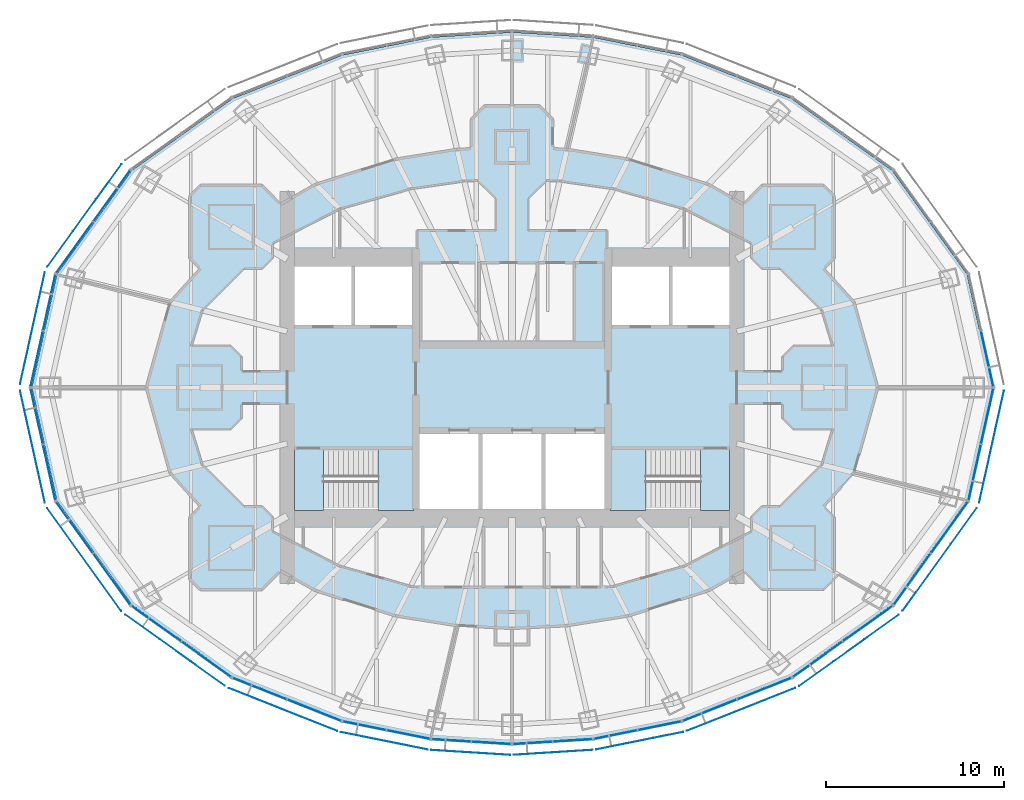
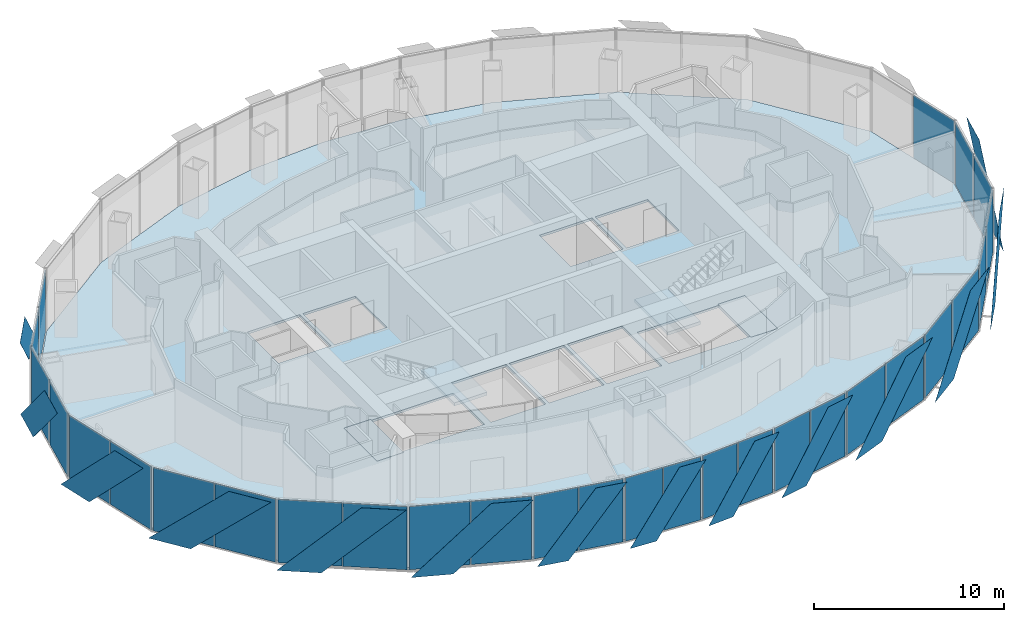
# One storey, part 10 of 18: 43 plates, 5 slabs, 17 elements without a shape of their own.
"""IFC4 building model written with IfcOpenShell, lengths in metres."""

from ifc_helpers import new_model, si_unit, direction, frame, origin, origin_2d, place, context, subcontext, project, spatial, polyline, rectangle, outline, extrude, material, layer, layer_set, type_object, element, aggregate, save


model = new_model("IFC4")

# Units and contexts
model_context = context("Model", 3, precision=1e-05, world=origin(), true_north=direction((0.0, 1.0)))
body_context = subcontext(model_context, "Body", "Model", "MODEL_VIEW")
ifc_project = project(units=[si_unit("LENGTHUNIT", "METRE"), si_unit("AREAUNIT", "SQUARE_METRE"), si_unit("VOLUMEUNIT", "CUBIC_METRE"), si_unit("PLANEANGLEUNIT", "RADIAN"), si_unit("MASSUNIT", "GRAM", prefix="KILO")], contexts=[model_context])

# Site, building, storey
site_placement = place(None, origin())
site = spatial("IfcSite", under=ifc_project, at=site_placement, CompositionType="ELEMENT")
building_placement = place(site_placement, origin())
building = spatial("IfcBuilding", under=site, at=building_placement, Name="Lantaw Convention Tower", CompositionType="ELEMENT")
storey_placement = place(building_placement, frame((0.0, 0.0, 262.0)))
storey = spatial("IfcBuildingStorey", under=building, at=storey_placement, Name="L61", CompositionType="ELEMENT", Elevation=262.0)

# Curtain wall, plate
ifc_material_1 = material(Name="Aluminium framed curtain wall", Category="aluminium")
curtain_wall_type = type_object("IfcCurtainWallType", Name="Office curtain wall high rise, pale aluminium", PredefinedType="USERDEFINED", material=ifc_material_1)
curtain_wall_1_placement = place(storey_placement, origin())
curtain_wall_1 = element("IfcCurtainWall", 1, at=curtain_wall_1_placement, inside=storey, type_object=curtain_wall_type, Name="Office curtain wall high rise, pale aluminium L61", ObjectType="UNITISED CURTAIN WALL", PredefinedType="USERDEFINED")
ifc_material_2 = material(Name="Clear insulating glass", Category="glass")
ifc_layer_1 = layer(ifc_material_2, 0.028076171875)
ifc_layer_set_1 = layer_set([ifc_layer_1], Name="CW-O2 panel 28")
plate_type_1 = type_object("IfcPlateType", Name="CW-O2 panel 28", PredefinedType="CURTAIN_PANEL", material=ifc_layer_set_1)
plate_1_placement = place(storey_placement, frame((26.643798828125, 1.61083984375, -0.0849609375), z_axis=(0.0, 0.0, 1.0), x_axis=(-0.215891333626, 0.976417396437, 0.0)))
plate_1 = element("IfcPlate", 2, at=plate_1_placement, type_object=plate_type_1, Name="CW-O2 panel 1.1", PredefinedType="CURTAIN_PANEL", context=body_context, shape_type="SweptSolid", body=[
    extrude(rectangle(XDim=3.169677734375, YDim=0.028076171875, at=origin_2d()), origin(), (0.0, 0.0, 1.0), 4.070068359375),
])
aggregate(curtain_wall_1, [plate_1])

# Curtain wall, plates
curtain_wall_2_placement = place(storey_placement, origin())
curtain_wall_2 = element("IfcCurtainWall", 3, at=curtain_wall_2_placement, inside=storey, type_object=curtain_wall_type, Name="Office curtain wall high rise, pale aluminium L61", ObjectType="UNITISED CURTAIN WALL", PredefinedType="USERDEFINED")
plate_2_placement = place(storey_placement, frame((-22.4404296875, 10.743896484375, -0.0849609375), z_axis=(0.0, 0.0, 1.0), x_axis=(-0.585157643865, -0.810919559405, 0.0)))
plate_2 = element("IfcPlate", 4, at=plate_2_placement, type_object=plate_type_1, Name="CW-O2 panel 1.1", PredefinedType="CURTAIN_PANEL", context=body_context, shape_type="SweptSolid", body=[
    extrude(rectangle(XDim=3.500732421875, YDim=0.028076171875, at=origin_2d()), origin(), (0.0, 0.0, 1.0), 4.070068359375),
])
plate_3_placement = place(storey_placement, frame((-24.527099609375, 7.852294921875, -0.0849609375), z_axis=(0.0, 0.0, 1.0), x_axis=(-0.585157643865, -0.810919559405, 0.0)))
plate_3 = element("IfcPlate", 5, at=plate_3_placement, type_object=plate_type_1, Name="CW-O2 panel 2.1", PredefinedType="CURTAIN_PANEL", context=body_context, shape_type="SweptSolid", body=[
    extrude(rectangle(XDim=3.500732421875, YDim=0.028076171875, at=origin_2d()), origin(), (0.0, 0.0, 1.0), 4.070068359375),
])
aggregate(curtain_wall_2, [plate_2, plate_3])

curtain_wall_3_placement = place(storey_placement, origin())
curtain_wall_3 = element("IfcCurtainWall", 6, at=curtain_wall_3_placement, inside=storey, type_object=curtain_wall_type, Name="Office curtain wall high rise, pale aluminium L61", ObjectType="UNITISED CURTAIN WALL", PredefinedType="USERDEFINED")
plate_4_placement = place(storey_placement, frame((-25.945556640625, 4.769287109375, -0.0849609375), z_axis=(0.0, 0.0, 1.0), x_axis=(-0.215891333626, -0.976417396437, 0.0)))
plate_4 = element("IfcPlate", 7, at=plate_4_placement, type_object=plate_type_1, Name="CW-O2 panel 1.1", PredefinedType="CURTAIN_PANEL", context=body_context, shape_type="SweptSolid", body=[
    extrude(rectangle(XDim=3.169677734375, YDim=0.028076171875, at=origin_2d()), origin(), (0.0, 0.0, 1.0), 4.070068359375),
])
plate_5_placement = place(storey_placement, frame((-26.643798828125, 1.61083984375, -0.0849609375), z_axis=(0.0, 0.0, 1.0), x_axis=(-0.215891333626, -0.976417396437, 0.0)))
plate_5 = element("IfcPlate", 8, at=plate_5_placement, type_object=plate_type_1, Name="CW-O2 panel 2.1", PredefinedType="CURTAIN_PANEL", context=body_context, shape_type="SweptSolid", body=[
    extrude(rectangle(XDim=3.169677734375, YDim=0.028076171875, at=origin_2d()), origin(), (0.0, 0.0, 1.0), 4.070068359375),
])
aggregate(curtain_wall_3, [plate_4, plate_5])

curtain_wall_4_placement = place(storey_placement, origin())
curtain_wall_4 = element("IfcCurtainWall", 9, at=curtain_wall_4_placement, inside=storey, type_object=curtain_wall_type, Name="Office curtain wall high rise, pale aluminium L61", ObjectType="UNITISED CURTAIN WALL", PredefinedType="USERDEFINED")
plate_6_placement = place(storey_placement, frame((-26.643798828125, -1.61083984375, -0.0849609375), z_axis=(0.0, 0.0, 1.0), x_axis=(0.215891333626, -0.976417396437, 0.0)))
plate_6 = element("IfcPlate", 10, at=plate_6_placement, type_object=plate_type_1, Name="CW-O2 panel 1.1", PredefinedType="CURTAIN_PANEL", context=body_context, shape_type="SweptSolid", body=[
    extrude(rectangle(XDim=3.169677734375, YDim=0.028076171875, at=origin_2d()), origin(), (0.0, 0.0, 1.0), 4.070068359375),
])
plate_7_placement = place(storey_placement, frame((-25.945556640625, -4.769287109375, -0.0849609375), z_axis=(0.0, 0.0, 1.0), x_axis=(0.215891333626, -0.976417396437, 0.0)))
plate_7 = element("IfcPlate", 11, at=plate_7_placement, type_object=plate_type_1, Name="CW-O2 panel 2.1", PredefinedType="CURTAIN_PANEL", context=body_context, shape_type="SweptSolid", body=[
    extrude(rectangle(XDim=3.169677734375, YDim=0.028076171875, at=origin_2d()), origin(), (0.0, 0.0, 1.0), 4.070068359375),
])
aggregate(curtain_wall_4, [plate_6, plate_7])

curtain_wall_5_placement = place(storey_placement, origin())
curtain_wall_5 = element("IfcCurtainWall", 12, at=curtain_wall_5_placement, inside=storey, type_object=curtain_wall_type, Name="Office curtain wall high rise, pale aluminium L61", ObjectType="UNITISED CURTAIN WALL", PredefinedType="USERDEFINED")
plate_8_placement = place(storey_placement, frame((-24.527099609375, -7.852294921875, -0.0849609375), z_axis=(0.0, 0.0, 1.0), x_axis=(0.585157643865, -0.810919559405, 0.0)))
plate_8 = element("IfcPlate", 13, at=plate_8_placement, type_object=plate_type_1, Name="CW-O2 panel 1.1", PredefinedType="CURTAIN_PANEL", context=body_context, shape_type="SweptSolid", body=[
    extrude(rectangle(XDim=3.500732421875, YDim=0.028076171875, at=origin_2d()), origin(), (0.0, 0.0, 1.0), 4.070068359375),
])
plate_9_placement = place(storey_placement, frame((-22.4404296875, -10.743896484375, -0.0849609375), z_axis=(0.0, 0.0, 1.0), x_axis=(0.585157643865, -0.810919559405, 0.0)))
plate_9 = element("IfcPlate", 14, at=plate_9_placement, type_object=plate_type_1, Name="CW-O2 panel 2.1", PredefinedType="CURTAIN_PANEL", context=body_context, shape_type="SweptSolid", body=[
    extrude(rectangle(XDim=3.500732421875, YDim=0.028076171875, at=origin_2d()), origin(), (0.0, 0.0, 1.0), 4.070068359375),
])
aggregate(curtain_wall_5, [plate_8, plate_9])

curtain_wall_6_placement = place(storey_placement, origin())
curtain_wall_6 = element("IfcCurtainWall", 15, at=curtain_wall_6_placement, inside=storey, type_object=curtain_wall_type, Name="Office curtain wall high rise, pale aluminium L61", ObjectType="UNITISED CURTAIN WALL", PredefinedType="USERDEFINED")
plate_10_placement = place(storey_placement, frame((-19.947509765625, -13.23828125, -0.0849609375), z_axis=(0.0, 0.0, 1.0), x_axis=(0.813672540482, -0.581323487281, 0.0)))
plate_10 = element("IfcPlate", 16, at=plate_10_placement, type_object=plate_type_1, Name="CW-O2 panel 1.1", PredefinedType="CURTAIN_PANEL", context=body_context, shape_type="SweptSolid", body=[
    extrude(rectangle(XDim=3.386474609375, YDim=0.028076171875, at=origin_2d()), origin(), (0.0, 0.0, 1.0), 4.070068359375),
])
plate_11_placement = place(storey_placement, frame((-17.13916015625, -15.24462890625, -0.0849609375), z_axis=(0.0, 0.0, 1.0), x_axis=(0.813672540482, -0.581323487281, 0.0)))
plate_11 = element("IfcPlate", 17, at=plate_11_placement, type_object=plate_type_1, Name="CW-O2 panel 2.1", PredefinedType="CURTAIN_PANEL", context=body_context, shape_type="SweptSolid", body=[
    extrude(rectangle(XDim=3.386474609375, YDim=0.028076171875, at=origin_2d()), origin(), (0.0, 0.0, 1.0), 4.070068359375),
])
aggregate(curtain_wall_6, [plate_10, plate_11])

curtain_wall_7_placement = place(storey_placement, origin())
curtain_wall_7 = element("IfcCurtainWall", 18, at=curtain_wall_7_placement, inside=storey, type_object=curtain_wall_type, Name="Office curtain wall high rise, pale aluminium L61", ObjectType="UNITISED CURTAIN WALL", PredefinedType="USERDEFINED")
plate_12_placement = place(storey_placement, frame((-14.14990234375, -16.8837890625, -0.0849609375), z_axis=(0.0, 0.0, 1.0), x_axis=(0.929761533743, -0.368162315252, 0.0)))
plate_12 = element("IfcPlate", 19, at=plate_12_placement, type_object=plate_type_1, Name="CW-O2 panel 1.1", PredefinedType="CURTAIN_PANEL", context=body_context, shape_type="SweptSolid", body=[
    extrude(rectangle(XDim=3.222900390625, YDim=0.028076171875, at=origin_2d()), origin(), (0.0, 0.0, 1.0), 4.070068359375),
])
plate_13_placement = place(storey_placement, frame((-11.0927734375, -18.094482421875, -0.0849609375), z_axis=(0.0, 0.0, 1.0), x_axis=(0.929761533743, -0.368162315252, 0.0)))
plate_13 = element("IfcPlate", 20, at=plate_13_placement, type_object=plate_type_1, Name="CW-O2 panel 2.1", PredefinedType="CURTAIN_PANEL", context=body_context, shape_type="SweptSolid", body=[
    extrude(rectangle(XDim=3.222900390625, YDim=0.028076171875, at=origin_2d()), origin(), (0.0, 0.0, 1.0), 4.070068359375),
])
aggregate(curtain_wall_7, [plate_12, plate_13])

curtain_wall_8_placement = place(storey_placement, origin())
curtain_wall_8 = element("IfcCurtainWall", 21, at=curtain_wall_8_placement, inside=storey, type_object=curtain_wall_type, Name="Office curtain wall high rise, pale aluminium L61", ObjectType="UNITISED CURTAIN WALL", PredefinedType="USERDEFINED")
plate_14_placement = place(storey_placement, frame((-8.2724609375, -18.96533203125, -0.0849609375), z_axis=(0.0, 0.0, 1.0), x_axis=(0.980366679695, -0.197183095987, 0.0)))
plate_14 = element("IfcPlate", 22, at=plate_14_placement, type_object=plate_type_1, Name="CW-O2 panel 1.1", PredefinedType="CURTAIN_PANEL", context=body_context, shape_type="SweptSolid", body=[
    extrude(rectangle(XDim=2.44384765625, YDim=0.028076171875, at=origin_2d()), origin(), (0.0, 0.0, 1.0), 4.070068359375),
])
plate_15_placement = place(storey_placement, frame((-5.81298828125, -19.4599609375, -0.0849609375), z_axis=(0.0, 0.0, 1.0), x_axis=(0.980366679695, -0.197183095987, 0.0)))
plate_15 = element("IfcPlate", 23, at=plate_15_placement, type_object=plate_type_1, Name="CW-O2 panel 2.1", PredefinedType="CURTAIN_PANEL", context=body_context, shape_type="SweptSolid", body=[
    extrude(rectangle(XDim=2.44384765625, YDim=0.028076171875, at=origin_2d()), origin(), (0.0, 0.0, 1.0), 4.070068359375),
])
aggregate(curtain_wall_8, [plate_14, plate_15])

curtain_wall_9_placement = place(storey_placement, origin())
curtain_wall_9 = element("IfcCurtainWall", 24, at=curtain_wall_9_placement, inside=storey, type_object=curtain_wall_type, Name="Office curtain wall high rise, pale aluminium L61", ObjectType="UNITISED CURTAIN WALL", PredefinedType="USERDEFINED")
plate_16_placement = place(storey_placement, frame((-3.397216796875, -19.786376953125, -0.0849609375), z_axis=(0.0, 0.0, 1.0), x_axis=(0.998028774865, -0.062757983884, 0.0)))
plate_16 = element("IfcPlate", 25, at=plate_16_placement, type_object=plate_type_1, Name="CW-O2 panel 1.1", PredefinedType="CURTAIN_PANEL", context=body_context, shape_type="SweptSolid", body=[
    extrude(rectangle(XDim=2.1826171875, YDim=0.028076171875, at=origin_2d()), origin(), (0.0, 0.0, 1.0), 4.070068359375),
])
plate_17_placement = place(storey_placement, frame((-1.154052734375, -19.927490234375, -0.0849609375), z_axis=(0.0, 0.0, 1.0), x_axis=(0.998028774865, -0.062757983884, 0.0)))
plate_17 = element("IfcPlate", 26, at=plate_17_placement, type_object=plate_type_1, Name="CW-O2 panel 2.1", PredefinedType="CURTAIN_PANEL", context=body_context, shape_type="SweptSolid", body=[
    extrude(rectangle(XDim=2.1826171875, YDim=0.028076171875, at=origin_2d()), origin(), (0.0, 0.0, 1.0), 4.070068359375),
])
aggregate(curtain_wall_9, [plate_16, plate_17])

curtain_wall_10_placement = place(storey_placement, origin())
curtain_wall_10 = element("IfcCurtainWall", 27, at=curtain_wall_10_placement, inside=storey, type_object=curtain_wall_type, Name="Office curtain wall high rise, pale aluminium L61", ObjectType="UNITISED CURTAIN WALL", PredefinedType="USERDEFINED")
plate_18_placement = place(storey_placement, frame((1.154052734375, -19.927490234375, -0.0849609375), z_axis=(0.0, 0.0, 1.0), x_axis=(0.998028774865, 0.062757983884, 0.0)))
plate_18 = element("IfcPlate", 28, at=plate_18_placement, type_object=plate_type_1, Name="CW-O2 panel 1.1", PredefinedType="CURTAIN_PANEL", context=body_context, shape_type="SweptSolid", body=[
    extrude(rectangle(XDim=2.1826171875, YDim=0.028076171875, at=origin_2d()), origin(), (0.0, 0.0, 1.0), 4.070068359375),
])
plate_19_placement = place(storey_placement, frame((3.397216796875, -19.786376953125, -0.0849609375), z_axis=(0.0, 0.0, 1.0), x_axis=(0.998028774865, 0.062757983884, 0.0)))
plate_19 = element("IfcPlate", 29, at=plate_19_placement, type_object=plate_type_1, Name="CW-O2 panel 2.1", PredefinedType="CURTAIN_PANEL", context=body_context, shape_type="SweptSolid", body=[
    extrude(rectangle(XDim=2.1826171875, YDim=0.028076171875, at=origin_2d()), origin(), (0.0, 0.0, 1.0), 4.070068359375),
])
aggregate(curtain_wall_10, [plate_18, plate_19])

curtain_wall_11_placement = place(storey_placement, origin())
curtain_wall_11 = element("IfcCurtainWall", 30, at=curtain_wall_11_placement, inside=storey, type_object=curtain_wall_type, Name="Office curtain wall high rise, pale aluminium L61", ObjectType="UNITISED CURTAIN WALL", PredefinedType="USERDEFINED")
plate_20_placement = place(storey_placement, frame((5.81298828125, -19.4599609375, -0.0849609375), z_axis=(0.0, 0.0, 1.0), x_axis=(0.980366679695, 0.197183095987, 0.0)))
plate_20 = element("IfcPlate", 31, at=plate_20_placement, type_object=plate_type_1, Name="CW-O2 panel 1.1", PredefinedType="CURTAIN_PANEL", context=body_context, shape_type="SweptSolid", body=[
    extrude(rectangle(XDim=2.44384765625, YDim=0.028076171875, at=origin_2d()), origin(), (0.0, 0.0, 1.0), 4.070068359375),
])
plate_21_placement = place(storey_placement, frame((8.2724609375, -18.96533203125, -0.0849609375), z_axis=(0.0, 0.0, 1.0), x_axis=(0.980366679695, 0.197183095987, 0.0)))
plate_21 = element("IfcPlate", 32, at=plate_21_placement, type_object=plate_type_1, Name="CW-O2 panel 2.1", PredefinedType="CURTAIN_PANEL", context=body_context, shape_type="SweptSolid", body=[
    extrude(rectangle(XDim=2.44384765625, YDim=0.028076171875, at=origin_2d()), origin(), (0.0, 0.0, 1.0), 4.070068359375),
])
aggregate(curtain_wall_11, [plate_20, plate_21])

curtain_wall_12_placement = place(storey_placement, origin())
curtain_wall_12 = element("IfcCurtainWall", 33, at=curtain_wall_12_placement, inside=storey, type_object=curtain_wall_type, Name="Office curtain wall high rise, pale aluminium L61", ObjectType="UNITISED CURTAIN WALL", PredefinedType="USERDEFINED")
plate_22_placement = place(storey_placement, frame((11.0927734375, -18.094482421875, -0.0849609375), z_axis=(0.0, 0.0, 1.0), x_axis=(0.929761533743, 0.368162315252, 0.0)))
plate_22 = element("IfcPlate", 34, at=plate_22_placement, type_object=plate_type_1, Name="CW-O2 panel 1.1", PredefinedType="CURTAIN_PANEL", context=body_context, shape_type="SweptSolid", body=[
    extrude(rectangle(XDim=3.222900390625, YDim=0.028076171875, at=origin_2d()), origin(), (0.0, 0.0, 1.0), 4.070068359375),
])
plate_23_placement = place(storey_placement, frame((14.14990234375, -16.8837890625, -0.0849609375), z_axis=(0.0, 0.0, 1.0), x_axis=(0.929761533743, 0.368162315252, 0.0)))
plate_23 = element("IfcPlate", 35, at=plate_23_placement, type_object=plate_type_1, Name="CW-O2 panel 2.1", PredefinedType="CURTAIN_PANEL", context=body_context, shape_type="SweptSolid", body=[
    extrude(rectangle(XDim=3.222900390625, YDim=0.028076171875, at=origin_2d()), origin(), (0.0, 0.0, 1.0), 4.070068359375),
])
aggregate(curtain_wall_12, [plate_22, plate_23])

curtain_wall_13_placement = place(storey_placement, origin())
curtain_wall_13 = element("IfcCurtainWall", 36, at=curtain_wall_13_placement, inside=storey, type_object=curtain_wall_type, Name="Office curtain wall high rise, pale aluminium L61", ObjectType="UNITISED CURTAIN WALL", PredefinedType="USERDEFINED")
plate_24_placement = place(storey_placement, frame((17.13916015625, -15.24462890625, -0.0849609375), z_axis=(0.0, 0.0, 1.0), x_axis=(0.813672540482, 0.581323487281, 0.0)))
plate_24 = element("IfcPlate", 37, at=plate_24_placement, type_object=plate_type_1, Name="CW-O2 panel 1.1", PredefinedType="CURTAIN_PANEL", context=body_context, shape_type="SweptSolid", body=[
    extrude(rectangle(XDim=3.386474609375, YDim=0.028076171875, at=origin_2d()), origin(), (0.0, 0.0, 1.0), 4.070068359375),
])
plate_25_placement = place(storey_placement, frame((19.947509765625, -13.23828125, -0.0849609375), z_axis=(0.0, 0.0, 1.0), x_axis=(0.813672540482, 0.581323487281, 0.0)))
plate_25 = element("IfcPlate", 38, at=plate_25_placement, type_object=plate_type_1, Name="CW-O2 panel 2.1", PredefinedType="CURTAIN_PANEL", context=body_context, shape_type="SweptSolid", body=[
    extrude(rectangle(XDim=3.386474609375, YDim=0.028076171875, at=origin_2d()), origin(), (0.0, 0.0, 1.0), 4.070068359375),
])
aggregate(curtain_wall_13, [plate_24, plate_25])

curtain_wall_14_placement = place(storey_placement, origin())
curtain_wall_14 = element("IfcCurtainWall", 39, at=curtain_wall_14_placement, inside=storey, type_object=curtain_wall_type, Name="Office curtain wall high rise, pale aluminium L61", ObjectType="UNITISED CURTAIN WALL", PredefinedType="USERDEFINED")
plate_26_placement = place(storey_placement, frame((22.4404296875, -10.743896484375, -0.0849609375), z_axis=(0.0, 0.0, 1.0), x_axis=(0.585157643865, 0.810919559405, 0.0)))
plate_26 = element("IfcPlate", 40, at=plate_26_placement, type_object=plate_type_1, Name="CW-O2 panel 1.1", PredefinedType="CURTAIN_PANEL", context=body_context, shape_type="SweptSolid", body=[
    extrude(rectangle(XDim=3.500732421875, YDim=0.028076171875, at=origin_2d()), origin(), (0.0, 0.0, 1.0), 4.070068359375),
])
plate_27_placement = place(storey_placement, frame((24.527099609375, -7.852294921875, -0.0849609375), z_axis=(0.0, 0.0, 1.0), x_axis=(0.585157643865, 0.810919559405, 0.0)))
plate_27 = element("IfcPlate", 41, at=plate_27_placement, type_object=plate_type_1, Name="CW-O2 panel 2.1", PredefinedType="CURTAIN_PANEL", context=body_context, shape_type="SweptSolid", body=[
    extrude(rectangle(XDim=3.500732421875, YDim=0.028076171875, at=origin_2d()), origin(), (0.0, 0.0, 1.0), 4.070068359375),
])
aggregate(curtain_wall_14, [plate_26, plate_27])

curtain_wall_15_placement = place(storey_placement, origin())
curtain_wall_15 = element("IfcCurtainWall", 42, at=curtain_wall_15_placement, inside=storey, type_object=curtain_wall_type, Name="Office curtain wall high rise, pale aluminium L61", ObjectType="UNITISED CURTAIN WALL", PredefinedType="USERDEFINED")
plate_28_placement = place(storey_placement, frame((25.945556640625, -4.769287109375, -0.0849609375), z_axis=(0.0, 0.0, 1.0), x_axis=(0.215891333626, 0.976417396437, 0.0)))
plate_28 = element("IfcPlate", 43, at=plate_28_placement, type_object=plate_type_1, Name="CW-O2 panel 1.1", PredefinedType="CURTAIN_PANEL", context=body_context, shape_type="SweptSolid", body=[
    extrude(rectangle(XDim=3.169677734375, YDim=0.028076171875, at=origin_2d()), origin(), (0.0, 0.0, 1.0), 4.070068359375),
])
plate_29_placement = place(storey_placement, frame((26.643798828125, -1.61083984375, -0.0849609375), z_axis=(0.0, 0.0, 1.0), x_axis=(0.215891333626, 0.976417396437, 0.0)))
plate_29 = element("IfcPlate", 44, at=plate_29_placement, type_object=plate_type_1, Name="CW-O2 panel 2.1", PredefinedType="CURTAIN_PANEL", context=body_context, shape_type="SweptSolid", body=[
    extrude(rectangle(XDim=3.169677734375, YDim=0.028076171875, at=origin_2d()), origin(), (0.0, 0.0, 1.0), 4.070068359375),
])
aggregate(curtain_wall_15, [plate_28, plate_29])

# Slab
ifc_material_3 = material(Name="Concrete C35/45", Category="concrete")
ifc_layer_2 = layer(ifc_material_3, 0.14990234375)
ifc_layer_set_2 = layer_set([ifc_layer_2], Name="Floor slab 150")
slab_type_1 = type_object("IfcSlabType", Name="Floor slab 150", PredefinedType="FLOOR", material=ifc_layer_set_2)
slab_1_placement = place(storey_placement, frame((0.0, 0.0, -0.14990234375)))
element("IfcSlab", 45, at=slab_1_placement, inside=storey, type_object=slab_type_1, Name="L61 floor slab", PredefinedType="FLOOR", context=body_context, shape_type="SweptSolid", body=[
    extrude(outline(polyline([(25.51953125, -6.348876953125), (26.923095703125, 0.0), (25.51953125, 6.348876953125), (21.324462890625, 12.162109375), (15.67236328125, 16.2001953125), (9.5126953125, 18.639404296875), (4.54150390625, 19.63916015625), (0.0, 19.9248046875), (-4.54150390625, 19.63916015625), (-9.5126953125, 18.639404296875), (-15.67236328125, 16.2001953125), (-21.324462890625, 12.162109375), (-25.51953125, 6.348876953125), (-26.923095703125, 0.0), (-25.51953125, -6.348876953125), (-21.324462890625, -12.162109375), (-15.67236328125, -16.2001953125), (-9.5126953125, -18.639404296875), (-4.54150390625, -19.63916015625), (0.0, -19.9248046875), (4.54150390625, -19.63916015625), (9.5126953125, -18.639404296875), (15.67236328125, -16.2001953125), (21.324462890625, -12.162109375), (25.51953125, -6.348876953125)]), holes=[polyline([(-5.60009765625, -3.5), (-12.199951171875, -3.5), (-12.199951171875, -6.800048828125), (-5.60009765625, -6.800048828125), (-5.60009765625, -3.5)]), polyline([(12.199951171875, -3.5), (5.60009765625, -3.5), (5.60009765625, -6.800048828125), (12.199951171875, -6.800048828125), (12.199951171875, -3.5)]), polyline([(-1.86669921875, -2.60009765625), (-5.199951171875, -2.60009765625), (-5.199951171875, -6.800048828125), (-1.86669921875, -6.800048828125), (-1.86669921875, -2.60009765625)]), polyline([(1.666748046875, -2.60009765625), (-1.666748046875, -2.60009765625), (-1.666748046875, -6.800048828125), (1.666748046875, -6.800048828125), (1.666748046875, -2.60009765625)]), polyline([(5.199951171875, -2.60009765625), (1.86669921875, -2.60009765625), (1.86669921875, -6.800048828125), (5.199951171875, -6.800048828125), (5.199951171875, -2.60009765625)]), polyline([(-9.0, 6.800048828125), (-12.199951171875, 6.800048828125), (-12.199951171875, 3.5), (-9.0, 3.5), (-9.0, 6.800048828125)]), polyline([(-5.60009765625, 6.800048828125), (-8.800048828125, 6.800048828125), (-8.800048828125, 3.5), (-5.60009765625, 3.5), (-5.60009765625, 6.800048828125)]), polyline([(8.800048828125, 3.5), (8.800048828125, 6.800048828125), (5.60009765625, 6.800048828125), (5.60009765625, 3.5), (8.800048828125, 3.5)]), polyline([(12.199951171875, 3.5), (12.199951171875, 6.800048828125), (9.0, 6.800048828125), (9.0, 3.5), (12.199951171875, 3.5)])]), origin(), (0.0, 0.0, 1.0), 0.14990234375),
])

# Plates
ifc_material_4 = material(Name="Perforated aluminium sheet, pale silver finish", Category="aluminium")
ifc_layer_3 = layer(ifc_material_4, 0.006103515625)
ifc_layer_set_3 = layer_set([ifc_layer_3], Name="Perforated aluminium solar SCREEN panel")
plate_type_2 = type_object("IfcPlateType", Name="Perforated aluminium solar SCREEN panel", PredefinedType="SHEET", material=ifc_layer_set_3)
plate_30_placement = place(storey_placement, frame((-21.898681640625, 12.530029296875, -0.175048828125), z_axis=(-0.810892289695, 0.585195432394, 2.0458414e-05), x_axis=(-0.585195432516, -0.810892289865, 0.0)))
element("IfcPlate", 46, at=plate_30_placement, inside=storey, type_object=plate_type_2, Name="Solar SCREEN panel", PredefinedType="SHEET", context=body_context, shape_type="SweptSolid", body=[
    extrude(outline(polyline([(0.0, 0.0), (2.446848840683286, -6.776263578034403e-21), (7.09661046667572, 4.340087891533265), (4.649761625992435, 4.340087891533265), (0.0, 0.0)])), origin(), (0.0, 0.0, -1.0), 0.006103515625),
])
plate_31_placement = place(storey_placement, frame((-26.19189453125, 6.462158203125, -0.175048828125), z_axis=(0.976429511424, -0.215836529031, 4.4219438e-05), x_axis=(-0.215836529242, -0.976429512379, 0.0)))
element("IfcPlate", 47, at=plate_31_placement, inside=storey, type_object=plate_type_2, Name="Solar SCREEN panel", PredefinedType="SHEET", context=body_context, shape_type="SweptSolid", body=[
    extrude(outline(polyline([(0.0, 0.0), (2.2215525295212517, 3.3881317890172014e-21), (6.4341686174090675, -4.340087894868215), (4.212616087887817, -4.340087894868215), (0.0, 0.0)])), origin(), (0.0, 0.0, -1.0), 0.006103515625),
])
plate_32_placement = place(storey_placement, frame((-27.580810546875, -0.1796875, -0.175048828125), z_axis=(-0.976429511424, -0.215836529031, 4.4219438e-05), x_axis=(0.215836529242, -0.976429512379, 0.0)))
element("IfcPlate", 48, at=plate_32_placement, inside=storey, type_object=plate_type_2, Name="Solar SCREEN panel", PredefinedType="SHEET", context=body_context, shape_type="SweptSolid", body=[
    extrude(outline(polyline([(0.0, 0.0), (2.2215525295212517, -3.3881317890172014e-21), (6.4341686174090675, 4.340087894868215), (4.212616087887817, 4.340087894868215), (0.0, 0.0)])), origin(), (0.0, 0.0, -1.0), 0.006103515625),
])
plate_33_placement = place(storey_placement, frame((-26.051513671875, -6.775390625, -0.175048828125), z_axis=(0.810892289695, 0.585195432394, 2.0458414e-05), x_axis=(0.585195432516, -0.810892289865, 0.0)))
element("IfcPlate", 49, at=plate_33_placement, inside=storey, type_object=plate_type_2, Name="Solar SCREEN panel", PredefinedType="SHEET", context=body_context, shape_type="SweptSolid", body=[
    extrude(outline(polyline([(0.0, 0.0), (2.446848840683286, 6.776263578034403e-21), (7.09661046667572, -4.340087891533265), (4.649761625992435, -4.340087891533265), (0.0, 0.0)])), origin(), (0.0, 0.0, -1.0), 0.006103515625),
])
plate_34_placement = place(storey_placement, frame((-21.689697265625, -12.73828125, -0.175048828125), z_axis=(-0.581330799771, -0.813667316006, 1.0072414e-05), x_axis=(0.813667316047, -0.5813307998, 3.02e-10)))
element("IfcPlate", 50, at=plate_34_placement, inside=storey, type_object=plate_type_2, Name="Solar SCREEN panel", PredefinedType="SHEET", context=body_context, shape_type="SweptSolid", body=[
    extrude(outline(polyline([(0.0, 0.0), (2.3691416428668504, 0.0), (6.867806096558412, 4.34008788877314), (4.498863102938644, 4.340087890202622), (0.0, 0.0)])), origin(), (0.0, 0.0, -1.0), 0.006103515625),
])
plate_35_placement = place(storey_placement, frame((-15.88525390625, -16.8486328125, -0.175048828125), z_axis=(0.368116612072, 0.929779629081, 3.5533269e-05), x_axis=(0.929779629668, -0.368116612304, -1.786e-09)))
element("IfcPlate", 51, at=plate_35_placement, inside=storey, type_object=plate_type_2, Name="Solar SCREEN panel", PredefinedType="SHEET", context=body_context, shape_type="SweptSolid", body=[
    extrude(outline(polyline([(0.0, 0.0), (2.2578720663572183, -3.3881317890172014e-21), (6.540904465438181, -4.340087905048178), (4.282942526861161, -4.340087896982072), (0.0, 0.0)])), origin(), (0.0, 0.0, -1.0), 0.006103515625),
])
plate_36_placement = place(storey_placement, frame((-9.6044921875, -19.315673828125, -0.175048828125), z_axis=(0.197162069853, 0.980370908428, 1.0904083e-05), x_axis=(0.980370908486, -0.197162069865, -7.55e-10)))
element("IfcPlate", 52, at=plate_36_placement, inside=storey, type_object=plate_type_2, Name="Solar SCREEN panel", PredefinedType="SHEET", context=body_context, shape_type="SweptSolid", body=[
    extrude(outline(polyline([(0.0, 0.0), (1.7279870169553606, 8.470329472543003e-22), (4.982578440602753, -4.340087894645749), (3.2545432883764285, -4.340087892035838), (0.0, 0.0)])), origin(), (0.0, 0.0, -1.0), 0.006103515625),
])
plate_37_placement = place(storey_placement, frame((-4.539306640625, -20.32177734375, -0.175048828125), z_axis=(0.062672387577, 0.998034151922, 5.858668e-05), x_axis=(0.998034153635, -0.062672387685, 0.0)))
element("IfcPlate", 53, at=plate_37_placement, inside=storey, type_object=plate_type_2, Name="Solar SCREEN panel", PredefinedType="SHEET", context=body_context, shape_type="SweptSolid", body=[
    extrude(outline(polyline([(0.0, 0.0), (1.5504111513762302, 8.470329472543003e-22), (4.460200019412434, -4.340087898073457), (2.9097888680362036, -4.340087898073457), (0.0, 0.0)])), origin(), (0.0, 0.0, -1.0), 0.006103515625),
])
plate_38_placement = place(storey_placement, frame((0.087890625, -20.6015625, -0.175048828125), z_axis=(0.062672387577, -0.998034151922, 5.858668e-05), x_axis=(0.998034153635, 0.062672387685, 0.0)))
element("IfcPlate", 54, at=plate_38_placement, inside=storey, type_object=plate_type_2, Name="Solar SCREEN panel", PredefinedType="SHEET", context=body_context, shape_type="SweptSolid", body=[
    extrude(outline(polyline([(0.0, 0.0), (1.5504111513762302, -8.470329472543003e-22), (4.460200019412434, 4.340087898073457), (2.9097888680362036, 4.340087898073457), (0.0, 0.0)])), origin(), (0.0, 0.0, -1.0), 0.006103515625),
])
plate_39_placement = place(storey_placement, frame((4.7197265625, -20.298095703125, -0.175048828125), z_axis=(0.197162069853, -0.980370908428, 1.0904083e-05), x_axis=(0.980370908486, 0.197162069865, 7.55e-10)))
element("IfcPlate", 55, at=plate_39_placement, inside=storey, type_object=plate_type_2, Name="Solar SCREEN panel", PredefinedType="SHEET", context=body_context, shape_type="SweptSolid", body=[
    extrude(outline(polyline([(0.0, 0.0), (1.7280351522263238, 4.235164736271502e-22), (4.982578447157737, 4.34008788712039), (3.2545914302023755, 4.340087889730228), (0.0, 0.0)])), origin(), (0.0, 0.0, -1.0), 0.006103515625),
])
plate_40_placement = place(storey_placement, frame((9.8037109375, -19.256591796875, -0.175048828125), z_axis=(0.368116612072, -0.929779629081, 3.5533269e-05), x_axis=(0.929779629668, 0.368116612304, 1.786e-09)))
element("IfcPlate", 56, at=plate_40_placement, inside=storey, type_object=plate_type_2, Name="Solar SCREEN panel", PredefinedType="SHEET", context=body_context, shape_type="SweptSolid", body=[
    extrude(outline(polyline([(0.0, 0.0), (2.257961938577019, 0.0), (6.540904480942253, 4.34008788168214), (4.283032414585035, 4.340087889747925), (0.0, 0.0)])), origin(), (0.0, 0.0, -1.0), 0.006103515625),
])
plate_41_placement = place(storey_placement, frame((16.1015625, -16.730712890625, -0.175048828125), z_axis=(-0.581330799771, 0.813667316006, 1.0072414e-05), x_axis=(0.813667316047, 0.5813307998, -3.02e-10)))
element("IfcPlate", 57, at=plate_41_placement, inside=storey, type_object=plate_type_2, Name="Solar SCREEN panel", PredefinedType="SHEET", context=body_context, shape_type="SweptSolid", body=[
    extrude(outline(polyline([(0.0, 0.0), (2.3689429936197683, -1.6940658945086007e-21), (6.867806093939489, -4.340087892917353), (4.498664451072639, -4.340087891487751), (0.0, 0.0)])), origin(), (0.0, 0.0, -1.0), 0.006103515625),
])
plate_42_placement = place(storey_placement, frame((21.898681640625, -12.530029296875, -0.175048828125), z_axis=(0.810892289695, -0.585195432394, 2.0458414e-05), x_axis=(0.585195432516, 0.810892289865, 0.0)))
element("IfcPlate", 58, at=plate_42_placement, inside=storey, type_object=plate_type_2, Name="Solar SCREEN panel", PredefinedType="SHEET", context=body_context, shape_type="SweptSolid", body=[
    extrude(outline(polyline([(0.0, 0.0), (2.446848840683286, -6.776263578034403e-21), (7.09661046667572, 4.340087891533265), (4.649761625992435, 4.340087891533265), (0.0, 0.0)])), origin(), (0.0, 0.0, -1.0), 0.006103515625),
])
plate_43_placement = place(storey_placement, frame((26.19189453125, -6.462158203125, -0.175048828125), z_axis=(-0.976429511424, 0.215836529031, 4.4219438e-05), x_axis=(0.215836529242, 0.976429512379, 0.0)))
element("IfcPlate", 59, at=plate_43_placement, inside=storey, type_object=plate_type_2, Name="Solar SCREEN panel", PredefinedType="SHEET", context=body_context, shape_type="SweptSolid", body=[
    extrude(outline(polyline([(0.0, 0.0), (2.2215525295212517, 3.3881317890172014e-21), (6.4341686174090675, -4.340087894868215), (4.212616087887817, -4.340087894868215), (0.0, 0.0)])), origin(), (0.0, 0.0, -1.0), 0.006103515625),
])

# Stair, slabs
stair_type = type_object("IfcStairType", Name="Exit stair 1500 riser 175 in 2 flights", PredefinedType="HALF_TURN_STAIR", material=ifc_material_3)
stair_1_placement = place(storey_placement, origin())
stair_1 = element("IfcStair", 60, at=stair_1_placement, inside=storey, type_object=stair_type, Name="Exit stair S1 L61", PredefinedType="HALF_TURN_STAIR")
ifc_layer_4 = layer(ifc_material_3, 0.199951171875)
ifc_layer_set_4 = layer_set([ifc_layer_4], Name="Stair landing 200")
slab_type_2 = type_object("IfcSlabType", Name="Stair landing 200", PredefinedType="LANDING", material=ifc_layer_set_4)
slab_2_placement = place(storey_placement, frame((0.0, 0.0, -0.199951171875)))
slab_2 = element("IfcSlab", 61, at=slab_2_placement, type_object=slab_type_2, Name="S1 landing 1", PredefinedType="LANDING", context=body_context, shape_type="SweptSolid", body=[
    extrude(outline(polyline([(-12.199951171875, -6.89990234375), (-10.580078125, -6.89990234375), (-10.580078125, -3.39990234375), (-12.199951171875, -3.39990234375), (-12.199951171875, -6.89990234375)])), origin(), (0.0, 0.0, 1.0), 0.199951171875),
])
slab_3_placement = place(storey_placement, frame((0.0, 0.0, 1.89990234375)))
slab_3 = element("IfcSlab", 62, at=slab_3_placement, type_object=slab_type_2, Name="S1 landing 2", PredefinedType="LANDING", context=body_context, shape_type="SweptSolid", body=[
    extrude(outline(polyline([(-7.5, -6.89990234375), (-5.5, -6.89990234375), (-5.5, -3.39990234375), (-7.5, -3.39990234375), (-7.5, -6.89990234375)])), origin(), (0.0, 0.0, 1.0), 0.2001953125),
])
aggregate(stair_1, [slab_2, slab_3])

stair_2_placement = place(storey_placement, origin())
stair_2 = element("IfcStair", 63, at=stair_2_placement, inside=storey, type_object=stair_type, Name="Exit stair S2 L61", PredefinedType="HALF_TURN_STAIR")
slab_4_placement = place(storey_placement, frame((0.0, 0.0, -0.199951171875)))
slab_4 = element("IfcSlab", 64, at=slab_4_placement, type_object=slab_type_2, Name="S2 landing 1", PredefinedType="LANDING", context=body_context, shape_type="SweptSolid", body=[
    extrude(outline(polyline([(10.580078125, -6.89990234375), (12.199951171875, -6.89990234375), (12.199951171875, -3.39990234375), (10.580078125, -3.39990234375), (10.580078125, -6.89990234375)])), origin(), (0.0, 0.0, 1.0), 0.199951171875),
])
slab_5_placement = place(storey_placement, frame((0.0, 0.0, 1.89990234375)))
slab_5 = element("IfcSlab", 65, at=slab_5_placement, type_object=slab_type_2, Name="S2 landing 2", PredefinedType="LANDING", context=body_context, shape_type="SweptSolid", body=[
    extrude(outline(polyline([(5.5, -6.89990234375), (7.5, -6.89990234375), (7.5, -3.39990234375), (5.5, -3.39990234375), (5.5, -6.89990234375)])), origin(), (0.0, 0.0, 1.0), 0.2001953125),
])
aggregate(stair_2, [slab_4, slab_5])

save(model, "model.ifc")
